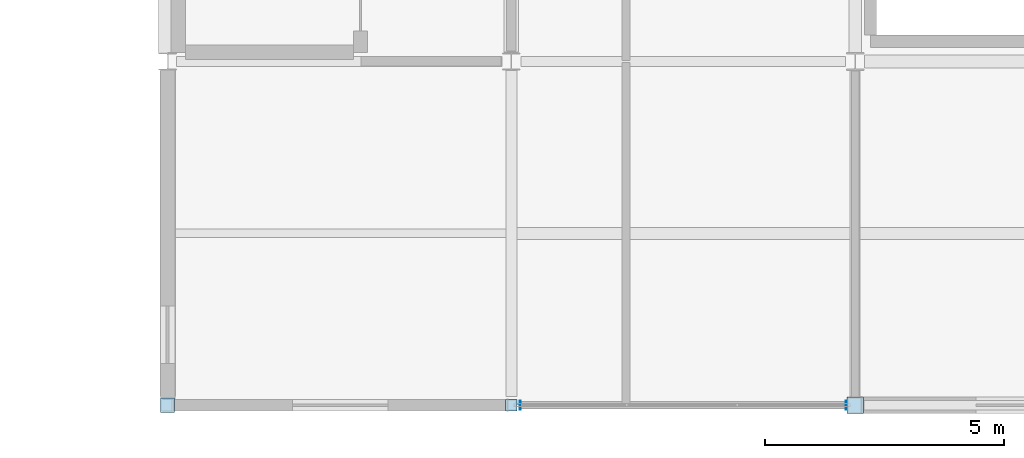
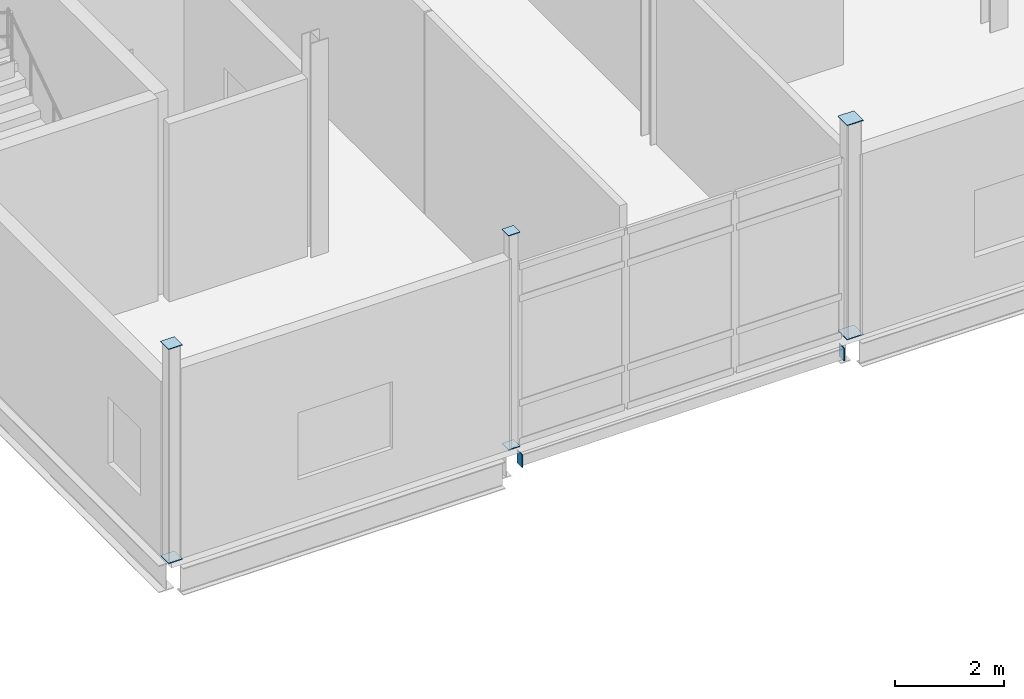
# One storey, part 40 of 72: 8 plates.
"""IFC4 building model written with IfcOpenShell, lengths in metres."""

from ifc_helpers import new_model, si_unit, direction, frame, origin, origin_2d, place, context, subcontext, project, spatial, rectangle, extrude, material, layer, layer_set, type_object, element, save


model = new_model("IFC4")

# Units and contexts
model_context = context("Model", 3, precision=1e-05, world=origin(), true_north=direction((0.0, 1.0)))
body_context = subcontext(model_context, "Body", "Model", "MODEL_VIEW")
ifc_project = project(units=[si_unit("LENGTHUNIT", "METRE"), si_unit("AREAUNIT", "SQUARE_METRE"), si_unit("VOLUMEUNIT", "CUBIC_METRE"), si_unit("PLANEANGLEUNIT", "RADIAN"), si_unit("MASSUNIT", "GRAM", prefix="KILO")], contexts=[model_context])

# Site, building, storey
site_placement = place(None, origin())
site = spatial("IfcSite", under=ifc_project, at=site_placement, CompositionType="ELEMENT")
building_placement = place(site_placement, origin())
building = spatial("IfcBuilding", under=site, at=building_placement, Name="Calvrana Isthmian Art Gallery", CompositionType="ELEMENT")
storey_placement = place(building_placement, frame((0.0, 0.0, 15.0)))
storey = spatial("IfcBuildingStorey", under=building, at=storey_placement, Name="L03", CompositionType="ELEMENT", Elevation=15.0)

# Plates
ifc_material = material(Name="Steel ASTM A572 Gr 50", Category="steel")
ifc_layer = layer(ifc_material, 0.01611328125, Name="Steel ASTM A572 Gr 50")
ifc_layer_set = layer_set([ifc_layer], Name="Steel ASTM A572 Gr 50")
plate_type = type_object("IfcPlateType", Name="PL-CAP-16", PredefinedType="SHEET", material=ifc_layer_set)
for number, where, z_axis, x_axis, name in (
    (1, (112.800048828125, 14.39990234375, -0.008056640625), (0.0, 0.0, 1.0), (1.0, 0.0, 0.0), "Hollow section end cap plate 259"),
    (2, (112.800048828125, 14.39990234375, 4.7919921875), (0.0, 0.0, 1.0), (1.0, 0.0, 0.0), "Hollow section end cap plate 260"),
):
    element("IfcPlate", number, at=place(storey_placement, frame(where, z_axis=z_axis, x_axis=x_axis)), inside=storey, type_object=plate_type, Name=name, PredefinedType="SHEET", context=body_context, shape_type="SweptSolid", body=[
        extrude(rectangle(XDim=0.2939453125, YDim=0.2939453125, at=origin_2d()), origin(), (0.0, 0.0, 1.0), 0.01611328125),
    ])
for number, where, z_axis, x_axis, name in (
    (3, (120.0, 14.39990234375, -0.008056640625), (0.0, 0.0, 1.0), (1.0, 0.0, 0.0), "Hollow section end cap plate 281"),
    (4, (120.0, 14.39990234375, 4.7919921875), (0.0, 0.0, 1.0), (1.0, 0.0, 0.0), "Hollow section end cap plate 282"),
):
    element("IfcPlate", number, at=place(storey_placement, frame(where, z_axis=z_axis, x_axis=x_axis)), inside=storey, type_object=plate_type, Name=name, PredefinedType="SHEET", context=body_context, shape_type="SweptSolid", body=[
        extrude(rectangle(XDim=0.2431640625, YDim=0.2431640625, at=origin_2d()), origin(), (0.0, 0.0, 1.0), 0.01611328125),
    ])
for number, where, z_axis, x_axis, name in (
    (5, (127.199951171875, 14.39990234375, -0.008056640625), (0.0, 0.0, 1.0), (1.0, 0.0, 0.0), "Hollow section end cap plate 295"),
    (6, (127.199951171875, 14.39990234375, 4.7919921875), (0.0, 0.0, 1.0), (1.0, 0.0, 0.0), "Hollow section end cap plate 296"),
):
    element("IfcPlate", number, at=place(storey_placement, frame(where, z_axis=z_axis, x_axis=x_axis)), inside=storey, type_object=plate_type, Name=name, PredefinedType="SHEET", context=body_context, shape_type="SweptSolid", body=[
        extrude(rectangle(XDim=0.3447265625, YDim=0.3447265625, at=origin_2d()), origin(), (0.0, 0.0, 1.0), 0.01611328125),
    ])
for number, where, z_axis, x_axis, name in (
    (7, (120.1865234375, 14.39990234375, -0.51904296875), (0.0, 0.0, 1.0), (1.0, 0.0, 0.0), "Hollow section end cap plate 469"),
    (8, (127.014404296875, 14.39990234375, -0.51904296875), (0.0, 0.0, 1.0), (1.0, 0.0, 0.0), "Hollow section end cap plate 470"),
):
    element("IfcPlate", number, at=place(storey_placement, frame(where, z_axis=z_axis, x_axis=x_axis)), inside=storey, type_object=plate_type, Name=name, PredefinedType="SHEET", context=body_context, shape_type="SweptSolid", body=[
        extrude(rectangle(XDim=0.01611328125, YDim=0.1923828125, at=origin_2d()), origin(), (0.0, 0.0, 1.0), 0.2939453125),
    ])

save(model, "model.ifc")
